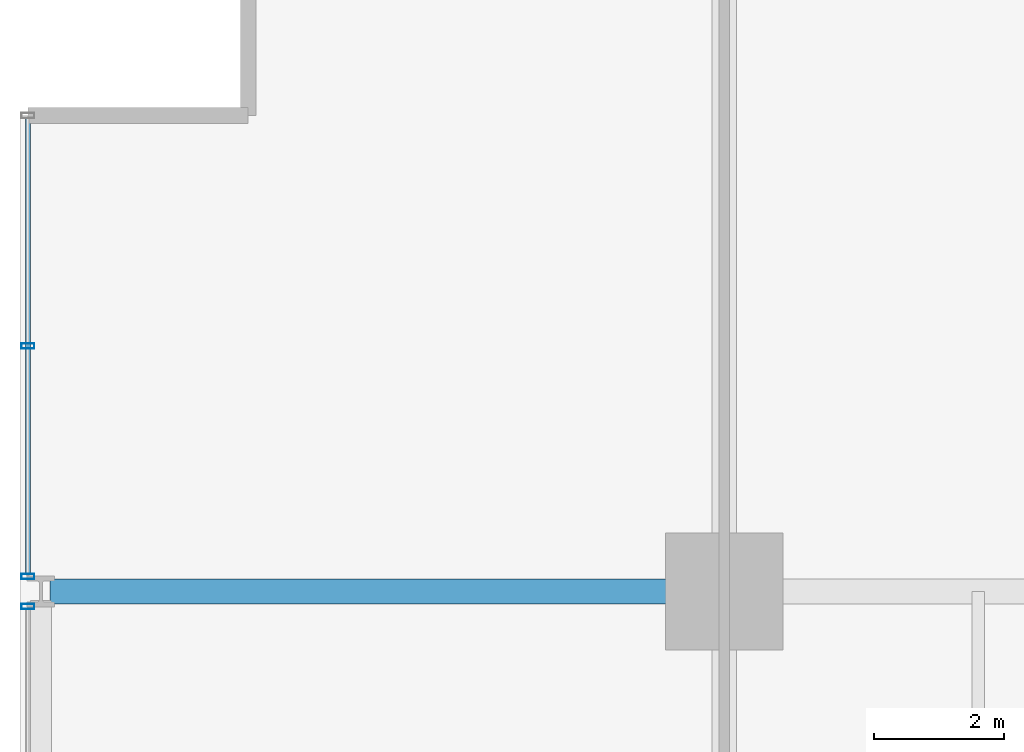
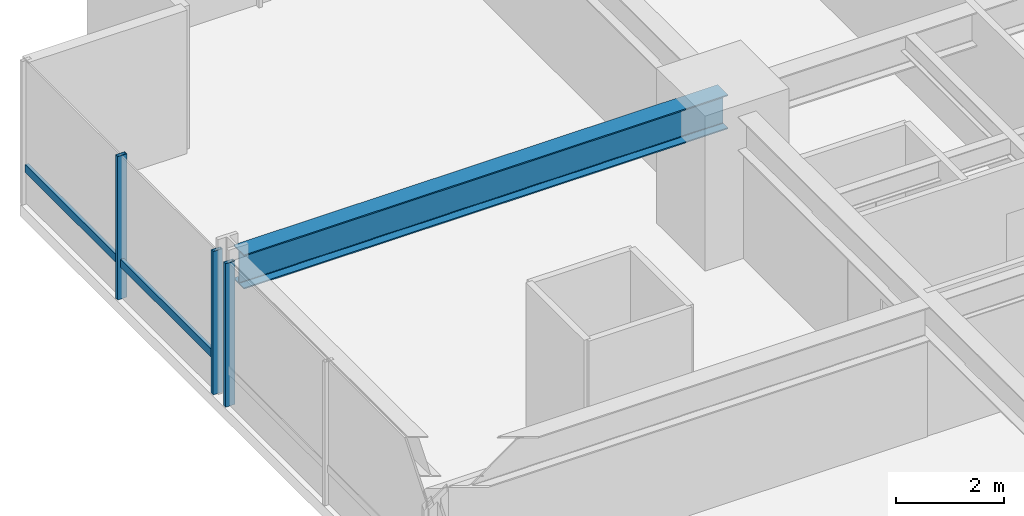
# One storey, part 19 of 38: 4 members, 1 beam, 2 elements without a shape of their own.
"""IFC4 building model written with IfcOpenShell, lengths in metres."""

from ifc_helpers import new_model, si_unit, direction, frame, origin, origin_2d, place, context, subcontext, project, spatial, hollow_rectangle, i_section, extrude, material, layer, layer_set, material_profile, profile_set, type_object, element, aggregate, save


model = new_model("IFC4")

# Units and contexts
model_context = context("Model", 3, precision=1e-05, world=origin(), true_north=direction((0.0, 1.0)))
body_context = subcontext(model_context, "Body", "Model", "MODEL_VIEW")
ifc_project = project(units=[si_unit("LENGTHUNIT", "METRE"), si_unit("AREAUNIT", "SQUARE_METRE"), si_unit("VOLUMEUNIT", "CUBIC_METRE"), si_unit("PLANEANGLEUNIT", "RADIAN"), si_unit("MASSUNIT", "GRAM", prefix="KILO")], contexts=[model_context])

# Site, building, storey
site_placement = place(None, origin())
site = spatial("IfcSite", under=ifc_project, at=site_placement, CompositionType="ELEMENT")
building_placement = place(site_placement, origin())
building = spatial("IfcBuilding", under=site, at=building_placement, Name="Drelvath Grand Hotel", CompositionType="ELEMENT")
storey_placement = place(building_placement, frame((0.0, 0.0, 64.699951171875)))
storey = spatial("IfcBuildingStorey", under=building, at=storey_placement, Name="L15", CompositionType="ELEMENT", Elevation=64.699951171875)

# Curtain wall, member
ifc_material_1 = material(Name="Warm Bronze Anodised Aluminium Frame", Category="aluminium")
ifc_layer = layer(ifc_material_1, 0.199951171875)
ifc_layer_set = layer_set([ifc_layer], Name="Warm Bronze Anodised Aluminium Frame")
curtain_wall_type = type_object("IfcCurtainWallType", Name="Stick Curtain Wall CW-02 Warm Bronze Low-Rise", PredefinedType="NOTDEFINED", material=ifc_layer_set)
curtain_wall_1_placement = place(storey_placement, origin())
curtain_wall_1 = element("IfcCurtainWall", 1, at=curtain_wall_1_placement, inside=storey, type_object=curtain_wall_type, Name="L15 CW-02 Curtain Wall CW02-L15-WN3", PredefinedType="NOTDEFINED")
ifc_material_profile_1 = material_profile(ifc_material_1, hollow_rectangle(XDim=0.074951171875, YDim=0.179931640625, WallThickness=0.0048828125, at=origin_2d()), Name="HSS180X75X5")
ifc_profile_set_1 = profile_set([ifc_material_profile_1], Name="Warm Bronze Anodised Aluminium Frame")
member_type_1 = type_object("IfcMemberType", Name="Curtain Wall Horizontal Transom CW-02 HSS180X75X5", PredefinedType="USERDEFINED", material=ifc_profile_set_1)
member_1_placement = place(storey_placement, frame((-26.8798828125, 43.468994140625, 0.81005859375), z_axis=(0.0, 1.0, 0.0), x_axis=(-1.0, 0.0, 0.0)))
member_1 = element("IfcMember", 2, at=member_1_placement, type_object=member_type_1, Name="CW02-L15-WN3 Sill Transom", ObjectType="TRANSOM", PredefinedType="USERDEFINED", context=body_context, shape_type="SweptSolid", body=[
    extrude(hollow_rectangle(XDim=0.074951171875, YDim=0.179931640625, WallThickness=0.0048828125, at=origin_2d()), origin(), (0.0, 0.0, 1.0), 6.990966796875),
])

curtain_wall_2_placement = place(storey_placement, origin())
curtain_wall_2 = element("IfcCurtainWall", 3, at=curtain_wall_2_placement, inside=storey, type_object=curtain_wall_type, Name="L15 CW-02 Curtain Wall CW02-L15-WN2", PredefinedType="NOTDEFINED")
ifc_material_profile_2 = material_profile(ifc_material_1, hollow_rectangle(XDim=0.080078125, YDim=0.199951171875, WallThickness=0.0048828125, at=origin_2d()), Name="HSS200X80X5")
ifc_profile_set_2 = profile_set([ifc_material_profile_2], Name="Warm Bronze Anodised Aluminium Frame")
member_type_2 = type_object("IfcMemberType", Name="Curtain Wall Vertical Mullion CW-02 HSS200X80X5", PredefinedType="MULLION", material=ifc_profile_set_2)
member_2_placement = place(storey_placement, frame((-26.8798828125, 42.970947265625, 0.0), z_axis=(0.0, 0.0, 1.0), x_axis=(0.0, 1.0, 0.0)))
member_2 = element("IfcMember", 4, at=member_2_placement, type_object=member_type_2, Name="CW02-L15-WN2 Mullion 3", PredefinedType="MULLION", context=body_context, shape_type="SweptSolid", body=[
    extrude(hollow_rectangle(XDim=0.080078125, YDim=0.199951171875, WallThickness=0.0048828125, at=origin_2d()), origin(), (0.0, 0.0, 1.0), 3.239990234375),
])
aggregate(curtain_wall_2, [member_2])

# Member
member_3_placement = place(storey_placement, frame((-26.8798828125, 43.42919921875, 0.0), z_axis=(0.0, 0.0, 1.0), x_axis=(0.0, 1.0, 0.0)))
member_3 = element("IfcMember", 5, at=member_3_placement, type_object=member_type_2, Name="CW02-L15-WN3 Mullion 1", PredefinedType="MULLION", context=body_context, shape_type="SweptSolid", body=[
    extrude(hollow_rectangle(XDim=0.080078125, YDim=0.199951171875, WallThickness=0.0048828125, at=origin_2d()), origin(), (0.0, 0.0, 1.0), 3.239990234375),
])

member_4_placement = place(storey_placement, frame((-26.8798828125, 46.964599609375, 0.0), z_axis=(0.0, 0.0, 1.0), x_axis=(0.0, 1.0, 0.0)))
member_4 = element("IfcMember", 6, at=member_4_placement, type_object=member_type_2, Name="CW02-L15-WN3 Mullion 2", PredefinedType="MULLION", context=body_context, shape_type="SweptSolid", body=[
    extrude(hollow_rectangle(XDim=0.080078125, YDim=0.199951171875, WallThickness=0.0048828125, at=origin_2d()), origin(), (0.0, 0.0, 1.0), 3.239990234375),
])

aggregate(curtain_wall_1, [member_3, member_4, member_1])

# Beam
ifc_material_2 = material(Name="Steel ASTM A992 Gr 50", Category="steel")
ifc_material_profile_3 = material_profile(ifc_material_2, i_section(OverallWidth=0.380615234375, OverallDepth=0.773193359375, WebThickness=0.0166015625, FlangeThickness=0.027099609375, FilletRadius=0.02490234375, at=origin_2d()), Name="W30X173")
ifc_profile_set_3 = profile_set([ifc_material_profile_3], Name="Steel ASTM A992 Gr 50")
beam_type = type_object("IfcBeamType", Name="Primary Floor Girder W30X173", PredefinedType="BEAM", material=ifc_profile_set_3)
beam_placement = place(storey_placement, frame((-26.5400390625, 43.199951171875, 2.853515625), z_axis=(1.0, 0.0, 0.0), x_axis=(0.0, 1.0, 0.0)))
element("IfcBeam", 7, at=beam_placement, inside=storey, type_object=beam_type, Name="L15 West Grid Girder G", PredefinedType="BEAM", context=body_context, shape_type="SweptSolid", body=[
    extrude(i_section(OverallWidth=0.380615234375, OverallDepth=0.773193359375, WebThickness=0.0166015625, FlangeThickness=0.027099609375, FilletRadius=0.02490234375, at=origin_2d()), origin(), (0.0, 0.0, 1.0), 10.340087890625),
])

save(model, "model.ifc")
